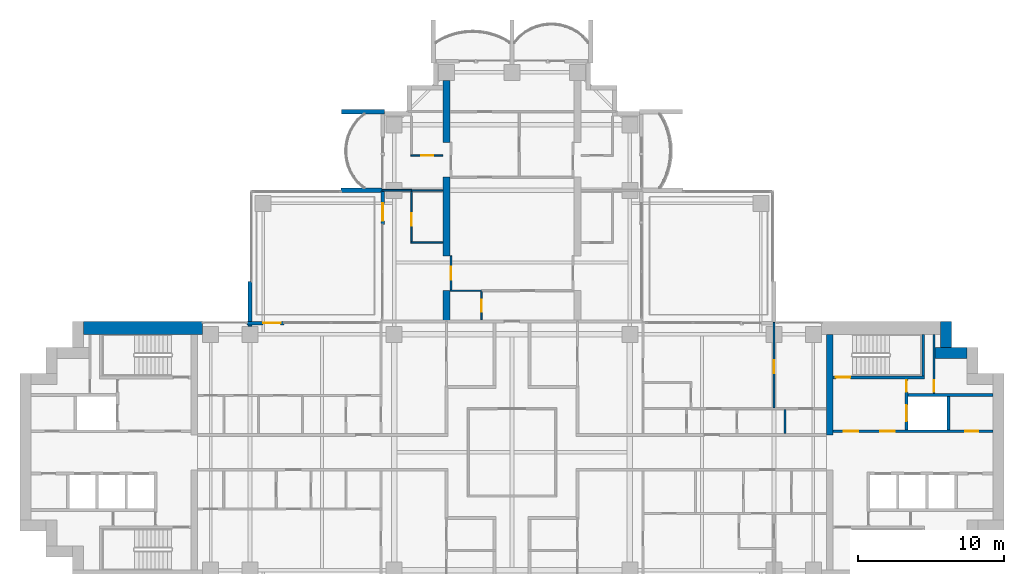
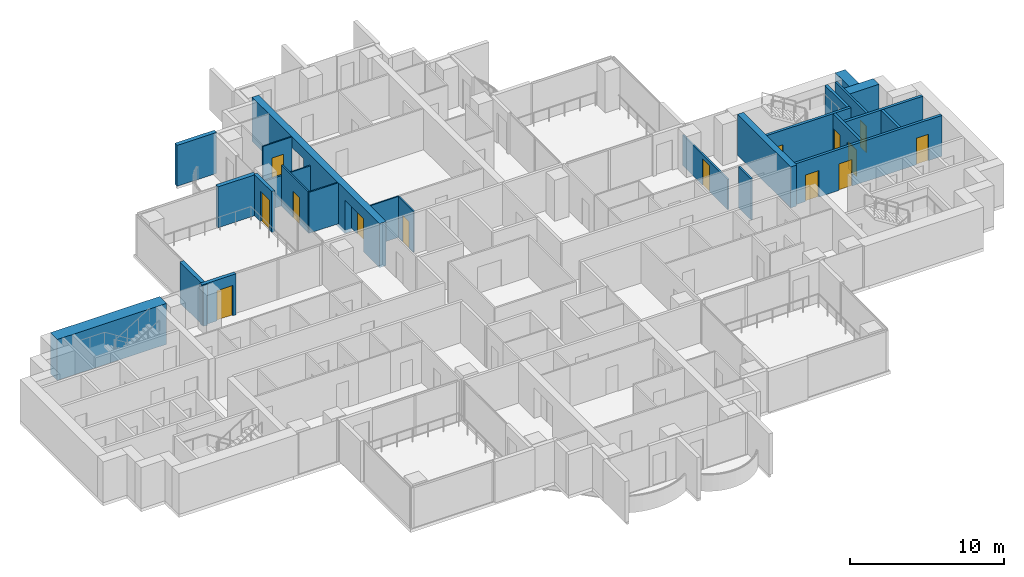
# One storey, part 13 of 19: 27 walls, 14 doors, 14 openings.
"""IFC4 building model written with IfcOpenShell, lengths in metres."""

from ifc_helpers import new_model, si_unit, direction, frame, frame_2d, origin, place, context, subcontext, project, spatial, polyline, rectangle, outline, extrude, material, layer, layer_set, material_profile, profile_set, type_object, element, fill, save


model = new_model("IFC4")

# Units and contexts
model_context = context("Model", 3, precision=1e-05, world=origin(), true_north=direction((0.0, 1.0)))
body_context = subcontext(model_context, "Body", "Model", "MODEL_VIEW")
ifc_project = project(units=[si_unit("LENGTHUNIT", "METRE"), si_unit("AREAUNIT", "SQUARE_METRE"), si_unit("VOLUMEUNIT", "CUBIC_METRE"), si_unit("PLANEANGLEUNIT", "RADIAN"), si_unit("MASSUNIT", "GRAM", prefix="KILO")], contexts=[model_context])

# Site, building, storey
site_placement = place(None, origin())
site = spatial("IfcSite", under=ifc_project, at=site_placement, CompositionType="ELEMENT")
building_placement = place(site_placement, origin())
building = spatial("IfcBuilding", under=site, at=building_placement, Name="Perihelion Cross Residences", CompositionType="ELEMENT")
storey_placement = place(building_placement, frame((0.0, 0.0, 144.39990234375)))
storey = spatial("IfcBuildingStorey", under=building, at=storey_placement, Name="L35", CompositionType="ELEMENT", Elevation=144.39990234375)

# Wall, opening, door
ifc_material_1 = material(Name="Concrete C30/37, bronze-clad", Category="concrete")
ifc_layer_1 = layer(ifc_material_1, 0.25)
ifc_layer_set_1 = layer_set([ifc_layer_1], Name="Bronze-clad pier wall 250")
wall_type_1 = type_object("IfcWallType", Name="Bronze-clad pier wall 250", PredefinedType="SOLIDWALL", material=ifc_layer_set_1)
wall_1_placement = place(storey_placement, frame((-8.875, 17.93994140625, 0.0), z_axis=(0.0, 0.0, 1.0), x_axis=(0.0, -1.0, 0.0)))
wall_1 = element("IfcWall", 1, at=wall_1_placement, inside=storey, type_object=wall_type_1, Name="Wall FW1 L35 north side west bay 2 pier", PredefinedType="SOLIDWALL", context=body_context, shape_type="SweptSolid", body=[
    extrude(rectangle(XDim=2.2900390625, YDim=0.25, at=frame_2d((1.14501953125, 0.0))), origin(), (0.0, 0.0, 1.0), 3.25),
])
opening_1_placement = place(wall_1_placement, frame((0.840087890625, 0.0, 0.0)))
opening_1 = element("IfcOpeningElement", 2, at=opening_1_placement, cuts=wall_1, Name="Opening L35.E07", PredefinedType="OPENING", context=body_context, shape_type="SweptSolid", body=[
    extrude(rectangle(XDim=1.199951171875, YDim=2.39990234375, at=frame_2d((0.60009765625, 1.199951171875))), frame((0.0, 0.135009765625, 0.0), z_axis=(0.0, -1.0, 0.0), x_axis=(1.0, 0.0, 0.0)), (0.0, 0.0, 1.0), 0.27001953125),
])
ifc_material_2 = material(Name="Bronze anodised aluminium, glazed", Category="aluminium")
door_type_1 = type_object("IfcDoorType", Name="Balcony door 1200 x 2400", OperationType="NOTDEFINED", PredefinedType="DOOR", material=ifc_material_2)
door_1_placement = place(opening_1_placement, origin())
door_1 = element("IfcDoor", 3, at=door_1_placement, inside=storey, type_object=door_type_1, Name="Door L35.E07 north side west bay 2", OperationType="SINGLE_SWING_RIGHT", OverallHeight=2.39990234375, OverallWidth=1.199951171875, PredefinedType="DOOR", context=body_context, shape_type="SweptSolid", body=[
    extrude(rectangle(XDim=1.199951171875, YDim=2.39990234375, at=frame_2d((0.60009765625, 1.199951171875))), frame((0.0, 0.02490234375, 0.0), z_axis=(0.0, -1.0, 0.0), x_axis=(1.0, 0.0, 0.0)), (0.0, 0.0, 1.0), 0.050048828125),
])
fill(opening_1, door_1)

wall_2_placement = place(storey_placement, frame((-15.64990234375, 8.875, 0.0), z_axis=(0.0, 0.0, 1.0), x_axis=(-1.0, 0.0, 0.0)))
wall_2 = element("IfcWall", 4, at=wall_2_placement, inside=storey, type_object=wall_type_1, Name="Wall FW1 L35 west side north bay 1 pier", PredefinedType="SOLIDWALL", context=body_context, shape_type="SweptSolid", body=[
    extrude(rectangle(XDim=2.550048828125, YDim=0.25, at=frame_2d((1.27490234375, 0.0))), origin(), (0.0, 0.0, 1.0), 3.25),
])
opening_2_placement = place(wall_2_placement, frame((0.25, 0.0, 0.0)))
opening_2 = element("IfcOpeningElement", 5, at=opening_2_placement, cuts=wall_2, Name="Opening L35.E08", PredefinedType="OPENING", context=body_context, shape_type="SweptSolid", body=[
    extrude(rectangle(XDim=1.199951171875, YDim=2.39990234375, at=frame_2d((0.60009765625, 1.199951171875))), frame((0.0, 0.135009765625, 0.0), z_axis=(0.0, -1.0, 0.0), x_axis=(1.0, 0.0, 0.0)), (0.0, 0.0, 1.0), 0.27001953125),
])
door_2_placement = place(opening_2_placement, origin())
door_2 = element("IfcDoor", 6, at=door_2_placement, inside=storey, type_object=door_type_1, Name="Door L35.E08 west side north bay 1", OperationType="SINGLE_SWING_LEFT", OverallHeight=2.39990234375, OverallWidth=1.199951171875, PredefinedType="DOOR", context=body_context, shape_type="SweptSolid", body=[
    extrude(rectangle(XDim=1.199951171875, YDim=2.39990234375, at=frame_2d((0.60009765625, 1.199951171875))), frame((0.0, 0.02490234375, 0.0), z_axis=(0.0, -1.0, 0.0), x_axis=(1.0, 0.0, 0.0)), (0.0, 0.0, 1.0), 0.050048828125),
])
fill(opening_2, door_2)

# Walls
ifc_material_3 = material(Name="Concrete C60/75", Category="concrete")
ifc_layer_2 = layer(ifc_material_3, 0.449951171875)
ifc_layer_set_2 = layer_set([ifc_layer_2], Name="Core wall, inner 450")
wall_type_2 = type_object("IfcWallType", Name="Core wall, inner 450", PredefinedType="SHEAR", material=ifc_layer_set_2)
wall_3_placement = place(storey_placement, frame((21.824951171875, 1.199951171875, 0.0), z_axis=(0.0, 0.0, 1.0), x_axis=(0.0, 1.0, 0.0)))
element("IfcWall", 7, at=wall_3_placement, inside=storey, type_object=wall_type_2, Name="East core core wall, inner", PredefinedType="SHEAR", context=body_context, shape_type="SweptSolid", body=[
    extrude(rectangle(XDim=6.900146484375, YDim=0.449951171875, at=frame_2d((3.4501953125, 0.0))), origin(), (0.0, 0.0, 1.0), 3.25),
])
ifc_material_4 = material(Name="Concrete C60/75", Category="concrete")
ifc_layer_3 = layer(ifc_material_4, 0.75)
ifc_layer_set_3 = layer_set([ifc_layer_3], Name="Core wall, outer 750")
wall_type_3 = type_object("IfcWallType", Name="Core wall, outer 750", PredefinedType="SHEAR", material=ifc_layer_set_3)
wall_4_placement = place(storey_placement, frame((29.074951171875, 6.824951171875, 0.0), z_axis=(0.0, 0.0, 1.0), x_axis=(1.0, 0.0, 0.0)))
element("IfcWall", 8, at=wall_4_placement, inside=storey, type_object=wall_type_3, Name="East core core wall, outer", PredefinedType="SHEAR", context=body_context, shape_type="SweptSolid", body=[
    extrude(rectangle(XDim=2.175048828125, YDim=0.75, at=frame_2d((1.08740234375, 0.0))), origin(), (0.0, 0.0, 1.0), 3.25),
])
wall_5_placement = place(storey_placement, frame((29.824951171875, 7.199951171875, 0.0), z_axis=(0.0, 0.0, 1.0), x_axis=(0.0, 1.0, 0.0)))
element("IfcWall", 9, at=wall_5_placement, inside=storey, type_object=wall_type_3, Name="East core core wall, outer", PredefinedType="SHEAR", context=body_context, shape_type="SweptSolid", body=[
    extrude(rectangle(XDim=1.800048828125, YDim=0.75, at=frame_2d((0.89990234375, 0.0))), origin(), (0.0, 0.0, 1.0), 3.25),
])
ifc_material_5 = material(Name="Concrete C60/75", Category="concrete")
ifc_layer_4 = layer(ifc_material_5, 0.89990234375)
ifc_layer_set_4 = layer_set([ifc_layer_4], Name="Core wall, outer 900")
wall_type_4 = type_object("IfcWallType", Name="Core wall, outer 900", PredefinedType="SHEAR", material=ifc_layer_set_4)
wall_6_placement = place(storey_placement, frame((-29.449951171875, 8.550048828125, 0.0), z_axis=(0.0, 0.0, 1.0), x_axis=(1.0, 0.0, 0.0)))
element("IfcWall", 10, at=wall_6_placement, inside=storey, type_object=wall_type_4, Name="West core core wall, outer", PredefinedType="SHEAR", context=body_context, shape_type="SweptSolid", body=[
    extrude(rectangle(XDim=8.199951171875, YDim=0.89990234375, at=frame_2d((4.10009765625, 0.0))), origin(), (0.0, 0.0, 1.0), 3.25),
])

# Wall, opening, door
ifc_material_6 = material(Name="Plasterboard partition")
ifc_layer_5 = layer(ifc_material_6, 0.1201171875)
ifc_layer_set_5 = layer_set([ifc_layer_5], Name="Infill panel 120")
wall_type_5 = type_object("IfcWallType", Name="Infill panel 120", PredefinedType="PARTITIONING", material=ifc_layer_set_5)
wall_7_placement = place(storey_placement, frame((-4.18994140625, 11.10009765625, 0.0), z_axis=(0.0, 0.0, 1.0), x_axis=(0.0, 1.0, 0.0)))
wall_7 = element("IfcWall", 11, at=wall_7_placement, inside=storey, type_object=wall_type_5, Name="Partition L35 WI03", PredefinedType="PARTITIONING", context=body_context, shape_type="SweptSolid", body=[
    extrude(rectangle(XDim=2.39990234375, YDim=0.1201171875, at=frame_2d((1.199951171875, 0.0))), origin(), (0.0, 0.0, 1.0), 2.400146484375),
])
opening_3_placement = place(wall_7_placement, frame((0.75, 0.0, 0.0)))
opening_3 = element("IfcOpeningElement", 12, at=opening_3_placement, cuts=wall_7, Name="Opening L35.A56", PredefinedType="OPENING", context=body_context, shape_type="SweptSolid", body=[
    extrude(rectangle(XDim=0.89990234375, YDim=2.10009765625, at=frame_2d((0.449951171875, 1.050048828125))), frame((0.0, 0.070068359375, 0.0), z_axis=(0.0, -1.0, 0.0), x_axis=(1.0, 0.0, 0.0)), (0.0, 0.0, 1.0), 0.14013671875),
])
ifc_material_7 = material(Name="Timber door leaf", Category="wood")
door_type_2 = type_object("IfcDoorType", Name="Interior room door 900 x 2100", OperationType="SINGLE_SWING_LEFT", PredefinedType="DOOR", material=ifc_material_7)
door_3_placement = place(opening_3_placement, origin())
door_3 = element("IfcDoor", 13, at=door_3_placement, inside=storey, type_object=door_type_2, Name="Door L35.A56", OperationType="SINGLE_SWING_LEFT", OverallHeight=2.10009765625, OverallWidth=0.89990234375, PredefinedType="DOOR", context=body_context, shape_type="SweptSolid", body=[
    extrude(rectangle(XDim=0.89990234375, YDim=2.10009765625, at=frame_2d((0.449951171875, 1.050048828125))), frame((0.0, 0.02490234375, 0.0), z_axis=(0.0, -1.0, 0.0), x_axis=(1.0, 0.0, 0.0)), (0.0, 0.0, 1.0), 0.050048828125),
])
fill(opening_3, door_3)

# Wall
ifc_material_8 = material(Name="Plasterboard partition")
ifc_layer_6 = layer(ifc_material_8, 0.1201171875)
ifc_layer_set_6 = layer_set([ifc_layer_6], Name="Partition wall 120")
wall_type_6 = type_object("IfcWallType", Name="Partition wall 120", PredefinedType="PARTITIONING", material=ifc_layer_set_6)
wall_8_placement = place(storey_placement, frame((18.75, 2.93994140625, 0.0), z_axis=(0.0, 0.0, 1.0), x_axis=(0.0, -1.0, 0.0)))
element("IfcWall", 14, at=wall_8_placement, inside=storey, type_object=wall_type_6, Name="Partition L35 W028", PredefinedType="PARTITIONING", context=body_context, shape_type="SweptSolid", body=[
    extrude(rectangle(XDim=1.639892578125, YDim=0.1201171875, at=frame_2d((0.81982421875, 0.0))), origin(), (0.0, 0.0, 1.0), 3.25),
])

# Wall, opening, door
wall_9_placement = place(storey_placement, frame((18.0, 8.919921875, 0.0), z_axis=(0.0, 0.0, 1.0), x_axis=(0.0, -1.0, 0.0)))
wall_9 = element("IfcWall", 15, at=wall_9_placement, inside=storey, type_object=wall_type_6, Name="Partition L35 W031", PredefinedType="PARTITIONING", context=body_context, shape_type="SweptSolid", body=[
    extrude(rectangle(XDim=5.85986328125, YDim=0.1201171875, at=frame_2d((2.929931640625, 0.0))), origin(), (0.0, 0.0, 1.0), 2.4140625),
])
opening_4_placement = place(wall_9_placement, frame((2.590087890625, 0.0, 0.0)))
opening_4 = element("IfcOpeningElement", 16, at=opening_4_placement, cuts=wall_9, Name="Opening L35.A02", PredefinedType="OPENING", context=body_context, shape_type="SweptSolid", body=[
    extrude(rectangle(XDim=0.89990234375, YDim=2.10009765625, at=frame_2d((0.449951171875, 1.050048828125))), frame((0.0, 0.070068359375, 0.0), z_axis=(0.0, -1.0, 0.0), x_axis=(1.0, 0.0, 0.0)), (0.0, 0.0, 1.0), 0.14013671875),
])
door_4_placement = place(opening_4_placement, origin())
door_4 = element("IfcDoor", 17, at=door_4_placement, inside=storey, type_object=door_type_2, Name="Door L35.A02", OperationType="SINGLE_SWING_LEFT", OverallHeight=2.10009765625, OverallWidth=0.89990234375, PredefinedType="DOOR", context=body_context, shape_type="SweptSolid", body=[
    extrude(rectangle(XDim=0.89990234375, YDim=2.10009765625, at=frame_2d((0.449951171875, 1.050048828125))), frame((0.0, 0.02490234375, 0.0), z_axis=(0.0, -1.0, 0.0), x_axis=(1.0, 0.0, 0.0)), (0.0, 0.0, 1.0), 0.050048828125),
])
fill(opening_4, door_4)

# Walls
wall_10_placement = place(storey_placement, frame((-8.919921875, 18.0, 0.0), z_axis=(0.0, 0.0, 1.0), x_axis=(1.0, 0.0, 0.0)))
element("IfcWall", 18, at=wall_10_placement, inside=storey, type_object=wall_type_6, Name="Partition L35 W082", PredefinedType="PARTITIONING", context=body_context, shape_type="SweptSolid", body=[
    extrude(rectangle(XDim=2.02001953125, YDim=0.1201171875, at=frame_2d((1.010009765625, 0.0))), origin(), (0.0, 0.0, 1.0), 2.4140625),
])
ifc_material_9 = material(Name="Precast concrete C50/60", Category="concrete")
ifc_layer_7 = layer(ifc_material_9, 0.300048828125)
ifc_layer_set_7 = layer_set([ifc_layer_7], Name="Precast concrete C50/60 blade wall 300")
wall_type_7 = type_object("IfcWallType", Name="Precast concrete C50/60 blade wall 300", PredefinedType="SOLIDWALL", material=ifc_layer_set_7)
wall_11_placement = place(storey_placement, frame((-18.0, 8.64990234375, 0.0), z_axis=(0.0, 0.0, 1.0), x_axis=(0.0, 1.0, 0.0)))
element("IfcWall", 19, at=wall_11_placement, inside=storey, type_object=wall_type_7, Name="Wall BL1 L35 no. 2", PredefinedType="SOLIDWALL", context=body_context, shape_type="SweptSolid", body=[
    extrude(rectangle(XDim=3.090087890625, YDim=0.300048828125, at=frame_2d((1.544921875, 0.0))), origin(), (0.0, 0.0, 1.0), 3.25),
])
wall_12_placement = place(storey_placement, frame((-8.919921875, 18.0, 0.0), z_axis=(0.0, 0.0, 1.0), x_axis=(-1.0, 0.0, 0.0)))
element("IfcWall", 20, at=wall_12_placement, inside=storey, type_object=wall_type_7, Name="Wall BL1 L35 no. 6", PredefinedType="SOLIDWALL", context=body_context, shape_type="SweptSolid", body=[
    extrude(rectangle(XDim=2.820068359375, YDim=0.300048828125, at=frame_2d((1.41015625, 0.0))), origin(), (0.0, 0.0, 1.0), 3.25),
])
wall_13_placement = place(storey_placement, frame((-8.75, 23.39990234375, 0.0), z_axis=(0.0, 0.0, 1.0), x_axis=(-1.0, 0.0, 0.0)))
element("IfcWall", 21, at=wall_13_placement, inside=storey, type_object=wall_type_7, Name="Wall BL1 L35 no. 7", PredefinedType="SOLIDWALL", context=body_context, shape_type="SweptSolid", body=[
    extrude(rectangle(XDim=2.949951171875, YDim=0.300048828125, at=frame_2d((1.47509765625, 0.0))), origin(), (0.0, 0.0, 1.0), 3.25),
])

# Wall, opening, door
ifc_material_10 = material(Name="Fire-rated board on steel stud", Category="steel")
ifc_layer_8 = layer(ifc_material_10, 0.14990234375)
ifc_layer_set_8 = layer_set([ifc_layer_8], Name="Riser wall 150")
wall_type_8 = type_object("IfcWallType", Name="Riser wall 150", PredefinedType="PARTITIONING", material=ifc_layer_set_8)
wall_14_placement = place(storey_placement, frame((29.0, 4.050048828125, 0.0), z_axis=(0.0, 0.0, 1.0), x_axis=(0.0, 1.0, 0.0)))
wall_14 = element("IfcWall", 22, at=wall_14_placement, inside=storey, type_object=wall_type_8, Name="East core riser wall", PredefinedType="PARTITIONING", context=body_context, shape_type="SweptSolid", body=[
    extrude(rectangle(XDim=4.050048828125, YDim=0.14990234375, at=frame_2d((2.02490234375, 0.0))), origin(), (0.0, 0.0, 1.0), 3.25),
])
opening_5_placement = place(wall_14_placement, frame((0.10009765625, 0.0, 0.0)))
opening_5 = element("IfcOpeningElement", 23, at=opening_5_placement, cuts=wall_14, Name="Opening L35.C12", PredefinedType="OPENING", context=body_context, shape_type="SweptSolid", body=[
    extrude(rectangle(XDim=0.800048828125, YDim=2.10009765625, at=frame_2d((0.39990234375, 1.050048828125))), frame((0.0, 0.0849609375, 0.0), z_axis=(0.0, -1.0, 0.0), x_axis=(1.0, 0.0, 0.0)), (0.0, 0.0, 1.0), 0.169921875),
])
ifc_material_11 = material(Name="Steel, powder coated", Category="steel")
door_type_3 = type_object("IfcDoorType", Name="Riser door 800", OperationType="SINGLE_SWING_LEFT", PredefinedType="DOOR", material=ifc_material_11)
door_5_placement = place(opening_5_placement, origin())
door_5 = element("IfcDoor", 24, at=door_5_placement, inside=storey, type_object=door_type_3, Name="East core riser door", OperationType="SINGLE_SWING_LEFT", OverallHeight=2.10009765625, OverallWidth=0.800048828125, PredefinedType="DOOR", context=body_context, shape_type="SweptSolid", body=[
    extrude(rectangle(XDim=0.800048828125, YDim=2.10009765625, at=frame_2d((0.39990234375, 1.050048828125))), frame((0.0, 0.02490234375, 0.0), z_axis=(0.0, -1.0, 0.0), x_axis=(1.0, 0.0, 0.0)), (0.0, 0.0, 1.0), 0.050048828125),
])
fill(opening_5, door_5)

# Wall, openings, doors
ifc_material_12 = material(Name="Concrete C50/60", Category="concrete")
ifc_layer_9 = layer(ifc_material_12, 0.199951171875)
ifc_layer_set_9 = layer_set([ifc_layer_9], Name="Shaft wall 200")
wall_type_9 = type_object("IfcWallType", Name="Shaft wall 200", PredefinedType="SOLIDWALL", material=ifc_layer_set_9)
wall_15_placement = place(storey_placement, frame((22.050048828125, 1.449951171875, 0.0), z_axis=(0.0, 0.0, 1.0), x_axis=(1.0, 0.0, 0.0)))
wall_15 = element("IfcWall", 25, at=wall_15_placement, inside=storey, type_object=wall_type_9, Name="East core shaft wall", PredefinedType="SOLIDWALL", context=body_context, shape_type="SweptSolid", body=[
    extrude(rectangle(XDim=11.0, YDim=0.199951171875, at=frame_2d((5.5, 0.0))), origin(), (0.0, 0.0, 1.0), 3.25),
])
opening_6_placement = place(wall_15_placement, frame((0.75, 0.0, 0.0)))
opening_6 = element("IfcOpeningElement", 26, at=opening_6_placement, cuts=wall_15, Name="Opening L35.C07", PredefinedType="OPENING", context=body_context, shape_type="SweptSolid", body=[
    extrude(rectangle(XDim=1.0, YDim=2.10009765625, at=frame_2d((0.5, 1.050048828125))), frame((0.0, 0.10986328125, 0.0), z_axis=(0.0, -1.0, 0.0), x_axis=(1.0, 0.0, 0.0)), (0.0, 0.0, 1.0), 0.219970703125),
])
opening_7_placement = place(wall_15_placement, frame((3.25, 0.0, 0.0)))
opening_7 = element("IfcOpeningElement", 27, at=opening_7_placement, cuts=wall_15, Name="Opening L35.C09", PredefinedType="OPENING", context=body_context, shape_type="SweptSolid", body=[
    extrude(rectangle(XDim=1.0, YDim=2.10009765625, at=frame_2d((0.5, 1.050048828125))), frame((0.0, 0.10986328125, 0.0), z_axis=(0.0, -1.0, 0.0), x_axis=(1.0, 0.0, 0.0)), (0.0, 0.0, 1.0), 0.219970703125),
])
opening_8_placement = place(wall_15_placement, frame((9.074951171875, 0.0, 0.0)))
opening_8 = element("IfcOpeningElement", 28, at=opening_8_placement, cuts=wall_15, Name="Opening L35.C13", PredefinedType="OPENING", context=body_context, shape_type="SweptSolid", body=[
    extrude(rectangle(XDim=0.89990234375, YDim=2.10009765625, at=frame_2d((0.449951171875, 1.050048828125))), frame((0.0, 0.10986328125, 0.0), z_axis=(0.0, -1.0, 0.0), x_axis=(1.0, 0.0, 0.0)), (0.0, 0.0, 1.0), 0.219970703125),
])
ifc_material_13 = material(Name="Steel, powder coated", Category="steel")
door_type_4 = type_object("IfcDoorType", Name="Lobby door 1000", OperationType="SINGLE_SWING_LEFT", PredefinedType="DOOR", material=ifc_material_13)
door_6_placement = place(opening_6_placement, origin())
door_6 = element("IfcDoor", 29, at=door_6_placement, inside=storey, type_object=door_type_4, Name="East core firefighting lobby door", OperationType="SINGLE_SWING_LEFT", OverallHeight=2.10009765625, OverallWidth=1.0, PredefinedType="DOOR", context=body_context, shape_type="SweptSolid", body=[
    extrude(rectangle(XDim=1.0, YDim=2.10009765625, at=frame_2d((0.5, 1.050048828125))), frame((0.0, 0.02490234375, 0.0), z_axis=(0.0, -1.0, 0.0), x_axis=(1.0, 0.0, 0.0)), (0.0, 0.0, 1.0), 0.050048828125),
])
fill(opening_6, door_6)
door_7_placement = place(opening_7_placement, origin())
door_7 = element("IfcDoor", 30, at=door_7_placement, inside=storey, type_object=door_type_4, Name="East core firefighting lobby door", OperationType="SINGLE_SWING_LEFT", OverallHeight=2.10009765625, OverallWidth=1.0, PredefinedType="DOOR", context=body_context, shape_type="SweptSolid", body=[
    extrude(rectangle(XDim=1.0, YDim=2.10009765625, at=frame_2d((0.5, 1.050048828125))), frame((0.0, 0.02490234375, 0.0), z_axis=(0.0, -1.0, 0.0), x_axis=(1.0, 0.0, 0.0)), (0.0, 0.0, 1.0), 0.050048828125),
])
fill(opening_7, door_7)
ifc_material_14 = material(Name="Steel, powder coated", Category="steel")
door_type_5 = type_object("IfcDoorType", Name="Service room door 900", OperationType="SINGLE_SWING_LEFT", PredefinedType="DOOR", material=ifc_material_14)
door_8_placement = place(opening_8_placement, origin())
door_8 = element("IfcDoor", 31, at=door_8_placement, inside=storey, type_object=door_type_5, Name="East core service room door", OperationType="SINGLE_SWING_LEFT", OverallHeight=2.10009765625, OverallWidth=0.89990234375, PredefinedType="DOOR", context=body_context, shape_type="SweptSolid", body=[
    extrude(rectangle(XDim=0.89990234375, YDim=2.10009765625, at=frame_2d((0.449951171875, 1.050048828125))), frame((0.0, 0.02490234375, 0.0), z_axis=(0.0, -1.0, 0.0), x_axis=(1.0, 0.0, 0.0)), (0.0, 0.0, 1.0), 0.050048828125),
])
fill(opening_8, door_8)

# Wall
wall_16_placement = place(storey_placement, frame((27.199951171875, 3.949951171875, 0.0), z_axis=(0.0, 0.0, 1.0), x_axis=(1.0, 0.0, 0.0)))
element("IfcWall", 32, at=wall_16_placement, inside=storey, type_object=wall_type_9, Name="East core shaft wall", PredefinedType="SOLIDWALL", context=body_context, shape_type="SweptSolid", body=[
    extrude(rectangle(XDim=5.85009765625, YDim=0.199951171875, at=frame_2d((2.925048828125, 0.0))), origin(), (0.0, 0.0, 1.0), 3.25),
])

# Wall, openings, doors
wall_17_placement = place(storey_placement, frame((27.10009765625, 1.550048828125, 0.0), z_axis=(0.0, 0.0, 1.0), x_axis=(0.0, 1.0, 0.0)))
wall_17 = element("IfcWall", 33, at=wall_17_placement, inside=storey, type_object=wall_type_9, Name="East core shaft wall", PredefinedType="SOLIDWALL", context=body_context, shape_type="SweptSolid", body=[
    extrude(rectangle(XDim=3.5, YDim=0.199951171875, at=frame_2d((1.75, 0.0))), origin(), (0.0, 0.0, 1.0), 3.25),
])
opening_9_placement = place(wall_17_placement, frame((0.60009765625, 0.0, 0.0)))
opening_9 = element("IfcOpeningElement", 34, at=opening_9_placement, cuts=wall_17, Name="Opening L35.C02", PredefinedType="OPENING", context=body_context, shape_type="SweptSolid", body=[
    extrude(rectangle(XDim=1.10009765625, YDim=2.10009765625, at=frame_2d((0.550048828125, 1.050048828125))), frame((0.0, 0.10986328125, 0.0), z_axis=(0.0, -1.0, 0.0), x_axis=(1.0, 0.0, 0.0)), (0.0, 0.0, 1.0), 0.219970703125),
])
opening_10_placement = place(wall_17_placement, frame((2.60009765625, 0.0, 0.0)))
opening_10 = element("IfcOpeningElement", 35, at=opening_10_placement, cuts=wall_17, Name="Opening L35.C10", PredefinedType="OPENING", context=body_context, shape_type="SweptSolid", body=[
    extrude(rectangle(XDim=0.800048828125, YDim=2.10009765625, at=frame_2d((0.39990234375, 1.050048828125))), frame((0.0, 0.10986328125, 0.0), z_axis=(0.0, -1.0, 0.0), x_axis=(1.0, 0.0, 0.0)), (0.0, 0.0, 1.0), 0.219970703125),
])
ifc_material_15 = material(Name="Stainless steel", Category="steel")
door_type_6 = type_object("IfcDoorType", Name="Landing door, firefighting lift 1100", OperationType="DOUBLE_DOOR_SLIDING", PredefinedType="DOOR", material=ifc_material_15)
door_9_placement = place(opening_9_placement, origin())
door_9 = element("IfcDoor", 36, at=door_9_placement, inside=storey, type_object=door_type_6, Name="Landing door, East core firefighting and service lift", OperationType="DOUBLE_DOOR_SLIDING", OverallHeight=2.10009765625, OverallWidth=1.10009765625, PredefinedType="DOOR", context=body_context, shape_type="SweptSolid", body=[
    extrude(rectangle(XDim=1.10009765625, YDim=2.10009765625, at=frame_2d((0.550048828125, 1.050048828125))), frame((0.0, 0.02490234375, 0.0), z_axis=(0.0, -1.0, 0.0), x_axis=(1.0, 0.0, 0.0)), (0.0, 0.0, 1.0), 0.050048828125),
])
fill(opening_9, door_9)
door_10_placement = place(opening_10_placement, origin())
door_10 = element("IfcDoor", 37, at=door_10_placement, inside=storey, type_object=door_type_3, Name="East core riser door", OperationType="SINGLE_SWING_LEFT", OverallHeight=2.10009765625, OverallWidth=0.800048828125, PredefinedType="DOOR", context=body_context, shape_type="SweptSolid", body=[
    extrude(rectangle(XDim=0.800048828125, YDim=2.10009765625, at=frame_2d((0.39990234375, 1.050048828125))), frame((0.0, 0.02490234375, 0.0), z_axis=(0.0, -1.0, 0.0), x_axis=(1.0, 0.0, 0.0)), (0.0, 0.0, 1.0), 0.050048828125),
])
fill(opening_10, door_10)

# Wall
wall_18_placement = place(storey_placement, frame((30.0, 1.550048828125, 0.0), z_axis=(0.0, 0.0, 1.0), x_axis=(0.0, 1.0, 0.0)))
element("IfcWall", 38, at=wall_18_placement, inside=storey, type_object=wall_type_9, Name="East core shaft wall", PredefinedType="SOLIDWALL", context=body_context, shape_type="SweptSolid", body=[
    extrude(rectangle(XDim=2.300048828125, YDim=0.199951171875, at=frame_2d((1.14990234375, 0.0))), origin(), (0.0, 0.0, 1.0), 3.25),
])

# Wall, opening, door
ifc_material_16 = material(Name="Concrete C50/60", Category="concrete")
ifc_layer_10 = layer(ifc_material_16, 0.199951171875)
ifc_layer_set_10 = layer_set([ifc_layer_10], Name="Stair wall 200")
wall_type_10 = type_object("IfcWallType", Name="Stair wall 200", PredefinedType="SOLIDWALL", material=ifc_layer_set_10)
wall_19_placement = place(storey_placement, frame((22.050048828125, 5.14990234375, 0.0), z_axis=(0.0, 0.0, 1.0), x_axis=(1.0, 0.0, 0.0)))
wall_19 = element("IfcWall", 39, at=wall_19_placement, inside=storey, type_object=wall_type_10, Name="East core stair wall", PredefinedType="SOLIDWALL", context=body_context, shape_type="SweptSolid", body=[
    extrude(rectangle(XDim=6.300048828125, YDim=0.199951171875, at=frame_2d((3.14990234375, 0.0))), origin(), (0.0, 0.0, 1.0), 3.25),
])
opening_11_placement = place(wall_19_placement, frame((0.199951171875, 0.0, 0.0)))
opening_11 = element("IfcOpeningElement", 40, at=opening_11_placement, cuts=wall_19, Name="Opening L35.C06", PredefinedType="OPENING", context=body_context, shape_type="SweptSolid", body=[
    extrude(rectangle(XDim=1.0, YDim=2.10009765625, at=frame_2d((0.5, 1.050048828125))), frame((0.0, 0.10986328125, 0.0), z_axis=(0.0, -1.0, 0.0), x_axis=(1.0, 0.0, 0.0)), (0.0, 0.0, 1.0), 0.219970703125),
])
ifc_material_17 = material(Name="Steel, powder coated", Category="steel")
door_type_7 = type_object("IfcDoorType", Name="Stair door 1000", OperationType="SINGLE_SWING_LEFT", PredefinedType="DOOR", material=ifc_material_17)
door_11_placement = place(opening_11_placement, origin())
door_11 = element("IfcDoor", 41, at=door_11_placement, inside=storey, type_object=door_type_7, Name="East core stair door", OperationType="SINGLE_SWING_LEFT", OverallHeight=2.10009765625, OverallWidth=1.0, PredefinedType="DOOR", context=body_context, shape_type="SweptSolid", body=[
    extrude(rectangle(XDim=1.0, YDim=2.10009765625, at=frame_2d((0.5, 1.050048828125))), frame((0.0, 0.02490234375, 0.0), z_axis=(0.0, -1.0, 0.0), x_axis=(1.0, 0.0, 0.0)), (0.0, 0.0, 1.0), 0.050048828125),
])
fill(opening_11, door_11)

# Walls
wall_20_placement = place(storey_placement, frame((28.25, 5.25, 0.0), z_axis=(0.0, 0.0, 1.0), x_axis=(0.0, 1.0, 0.0)))
element("IfcWall", 42, at=wall_20_placement, inside=storey, type_object=wall_type_10, Name="East core stair wall", PredefinedType="SOLIDWALL", context=body_context, shape_type="SweptSolid", body=[
    extrude(rectangle(XDim=2.85009765625, YDim=0.199951171875, at=frame_2d((1.425048828125, 0.0))), origin(), (0.0, 0.0, 1.0), 3.25),
])
ifc_material_18 = material(Name="Concrete C60/75", Category="concrete")
ifc_material_profile = material_profile(ifc_material_18, outline(polyline([(0.0, 0.0), (2.10009765625, 0.0), (2.10009765625, 2.64990234375), (4.5, 2.64990234375), (4.5, 0.0), (9.89990234375, 0.0), (9.89990234375, 2.64990234375), (12.300048828125, 2.64990234375), (12.300048828125, 0.0), (16.550048828125, 0.0), (16.550048828125, 3.5), (0.0, 3.5), (0.0, 0.0)])), Name="Tip spine wall")
ifc_profile_set = profile_set([ifc_material_profile], Name="Concrete C60/75")
wall_type_11 = type_object("IfcWallType", Name="Tip spine wall 500 with 2 door openings 16550 long 3500 high concrete C60/75", PredefinedType="SHEAR", material=ifc_profile_set)
wall_21_placement = place(storey_placement, frame((-4.75, 9.0, -0.25), z_axis=(1.0, 0.0, 0.0), x_axis=(0.0, 1.0, 0.0)))
element("IfcWall", 43, at=wall_21_placement, inside=storey, type_object=wall_type_11, Name="Shear wall SW34 L35 north west", PredefinedType="SHEAR", context=body_context, shape_type="SweptSolid", body=[
    extrude(outline(polyline([(0.0, 0.0), (2.10009765625, 0.0), (2.10009765625, 2.64990234375), (4.5, 2.64990234375), (4.5, 0.0), (9.89990234375, 0.0), (9.89990234375, 2.64990234375), (12.300048828125, 2.64990234375), (12.300048828125, 0.0), (16.550048828125, 0.0), (16.550048828125, 3.5), (0.0, 3.5), (0.0, 0.0)])), origin(), (0.0, 0.0, 1.0), 0.5),
])

# Wall, opening, door
ifc_material_19 = material(Name="Plasterboard partition")
ifc_layer_11 = layer(ifc_material_19, 0.10009765625)
ifc_layer_set_11 = layer_set([ifc_layer_11], Name="Wet room wall 100")
wall_type_12 = type_object("IfcWallType", Name="Wet room wall 100", PredefinedType="PARTITIONING", material=ifc_layer_set_11)
wall_22_placement = place(storey_placement, frame((-2.10009765625, 9.10009765625, 0.0), z_axis=(0.0, 0.0, 1.0), x_axis=(0.0, 1.0, 0.0)))
wall_22 = element("IfcWall", 44, at=wall_22_placement, inside=storey, type_object=wall_type_12, Name="Partition L35 W067", PredefinedType="PARTITIONING", context=body_context, shape_type="SweptSolid", body=[
    extrude(rectangle(XDim=1.93994140625, YDim=0.10009765625, at=frame_2d((0.969970703125, 0.0))), origin(), (0.0, 0.0, 1.0), 3.25),
])
opening_12_placement = place(wall_22_placement, frame((0.544921875, 0.0, 0.0)))
opening_12 = element("IfcOpeningElement", 45, at=opening_12_placement, cuts=wall_22, Name="Opening L35.A35", PredefinedType="OPENING", context=body_context, shape_type="SweptSolid", body=[
    extrude(rectangle(XDim=0.85009765625, YDim=2.10009765625, at=frame_2d((0.425048828125, 1.050048828125))), frame((0.0, 0.06005859375, 0.0), z_axis=(0.0, -1.0, 0.0), x_axis=(1.0, 0.0, 0.0)), (0.0, 0.0, 1.0), 0.1201171875),
])
ifc_material_20 = material(Name="Timber door leaf", Category="wood")
door_type_8 = type_object("IfcDoorType", Name="Interior bathroom door 850 x 2100", OperationType="SINGLE_SWING_LEFT", PredefinedType="DOOR", material=ifc_material_20)
door_12_placement = place(opening_12_placement, origin())
door_12 = element("IfcDoor", 46, at=door_12_placement, inside=storey, type_object=door_type_8, Name="Door L35.A35", OperationType="SINGLE_SWING_LEFT", OverallHeight=2.10009765625, OverallWidth=0.85009765625, PredefinedType="DOOR", context=body_context, shape_type="SweptSolid", body=[
    extrude(rectangle(XDim=0.85009765625, YDim=2.10009765625, at=frame_2d((0.425048828125, 1.050048828125))), frame((0.0, 0.02490234375, 0.0), z_axis=(0.0, -1.0, 0.0), x_axis=(1.0, 0.0, 0.0)), (0.0, 0.0, 1.0), 0.050048828125),
])
fill(opening_12, door_12)

# Wall
wall_23_placement = place(storey_placement, frame((-4.25, 11.10009765625, 0.0), z_axis=(0.0, 0.0, 1.0), x_axis=(1.0, 0.0, 0.0)))
element("IfcWall", 47, at=wall_23_placement, inside=storey, type_object=wall_type_12, Name="Partition L35 W069", PredefinedType="PARTITIONING", context=body_context, shape_type="SweptSolid", body=[
    extrude(rectangle(XDim=2.14990234375, YDim=0.10009765625, at=frame_2d((1.074951171875, 0.0))), origin(), (0.0, 0.0, 1.0), 3.25),
])

# Wall, opening, door
wall_24_placement = place(storey_placement, frame((-6.89990234375, 17.93994140625, 0.0), z_axis=(0.0, 0.0, 1.0), x_axis=(0.0, -1.0, 0.0)))
wall_24 = element("IfcWall", 48, at=wall_24_placement, inside=storey, type_object=wall_type_12, Name="Partition L35 W080", PredefinedType="PARTITIONING", context=body_context, shape_type="SweptSolid", body=[
    extrude(rectangle(XDim=3.489990234375, YDim=0.10009765625, at=frame_2d((1.7451171875, 0.0))), origin(), (0.0, 0.0, 1.0), 3.25),
])
opening_13_placement = place(wall_24_placement, frame((1.52001953125, 0.0, 0.0)))
opening_13 = element("IfcOpeningElement", 49, at=opening_13_placement, cuts=wall_24, Name="Opening L35.A42", PredefinedType="OPENING", context=body_context, shape_type="SweptSolid", body=[
    extrude(rectangle(XDim=0.85009765625, YDim=2.10009765625, at=frame_2d((0.425048828125, 1.050048828125))), frame((0.0, 0.06005859375, 0.0), z_axis=(0.0, -1.0, 0.0), x_axis=(1.0, 0.0, 0.0)), (0.0, 0.0, 1.0), 0.1201171875),
])
door_13_placement = place(opening_13_placement, origin())
door_13 = element("IfcDoor", 50, at=door_13_placement, inside=storey, type_object=door_type_8, Name="Door L35.A42", OperationType="SINGLE_SWING_RIGHT", OverallHeight=2.10009765625, OverallWidth=0.85009765625, PredefinedType="DOOR", context=body_context, shape_type="SweptSolid", body=[
    extrude(rectangle(XDim=0.85009765625, YDim=2.10009765625, at=frame_2d((0.425048828125, 1.050048828125))), frame((0.0, 0.02490234375, 0.0), z_axis=(0.0, -1.0, 0.0), x_axis=(1.0, 0.0, 0.0)), (0.0, 0.0, 1.0), 0.050048828125),
])
fill(opening_13, door_13)

# Walls
wall_25_placement = place(storey_placement, frame((-6.949951171875, 14.39990234375, 0.0), z_axis=(0.0, 0.0, 1.0), x_axis=(1.0, 0.0, 0.0)))
element("IfcWall", 51, at=wall_25_placement, inside=storey, type_object=wall_type_12, Name="Partition L35 W081", PredefinedType="PARTITIONING", context=body_context, shape_type="SweptSolid", body=[
    extrude(rectangle(XDim=2.199951171875, YDim=0.10009765625, at=frame_2d((1.10009765625, 0.0))), origin(), (0.0, 0.0, 1.0), 3.25),
])
wall_26_placement = place(storey_placement, frame((-6.89990234375, 18.0, 0.0), z_axis=(0.0, 0.0, 1.0), x_axis=(1.0, 0.0, 0.0)))
element("IfcWall", 52, at=wall_26_placement, inside=storey, type_object=wall_type_12, Name="Partition L35 W083", PredefinedType="PARTITIONING", context=body_context, shape_type="SweptSolid", body=[
    extrude(rectangle(XDim=2.14990234375, YDim=0.10009765625, at=frame_2d((1.074951171875, 0.0))), origin(), (0.0, 0.0, 1.0), 2.4140625),
])

# Wall, opening, door
wall_27_placement = place(storey_placement, frame((-6.949951171875, 20.39990234375, 0.0), z_axis=(0.0, 0.0, 1.0), x_axis=(1.0, 0.0, 0.0)))
wall_27 = element("IfcWall", 53, at=wall_27_placement, inside=storey, type_object=wall_type_12, Name="Partition L35 W085", PredefinedType="PARTITIONING", context=body_context, shape_type="SweptSolid", body=[
    extrude(rectangle(XDim=2.199951171875, YDim=0.10009765625, at=frame_2d((1.10009765625, 0.0))), origin(), (0.0, 0.0, 1.0), 3.25),
])
opening_14_placement = place(wall_27_placement, frame((0.699951171875, 0.0, 0.0)))
opening_14 = element("IfcOpeningElement", 54, at=opening_14_placement, cuts=wall_27, Name="Opening L35.A43", PredefinedType="OPENING", context=body_context, shape_type="SweptSolid", body=[
    extrude(rectangle(XDim=0.85009765625, YDim=2.10009765625, at=frame_2d((0.425048828125, 1.050048828125))), frame((0.0, 0.06005859375, 0.0), z_axis=(0.0, -1.0, 0.0), x_axis=(1.0, 0.0, 0.0)), (0.0, 0.0, 1.0), 0.1201171875),
])
door_14_placement = place(opening_14_placement, origin())
door_14 = element("IfcDoor", 55, at=door_14_placement, inside=storey, type_object=door_type_8, Name="Door L35.A43", OperationType="SINGLE_SWING_LEFT", OverallHeight=2.10009765625, OverallWidth=0.85009765625, PredefinedType="DOOR", context=body_context, shape_type="SweptSolid", body=[
    extrude(rectangle(XDim=0.85009765625, YDim=2.10009765625, at=frame_2d((0.425048828125, 1.050048828125))), frame((0.0, 0.02490234375, 0.0), z_axis=(0.0, -1.0, 0.0), x_axis=(1.0, 0.0, 0.0)), (0.0, 0.0, 1.0), 0.050048828125),
])
fill(opening_14, door_14)

save(model, "model.ifc")
